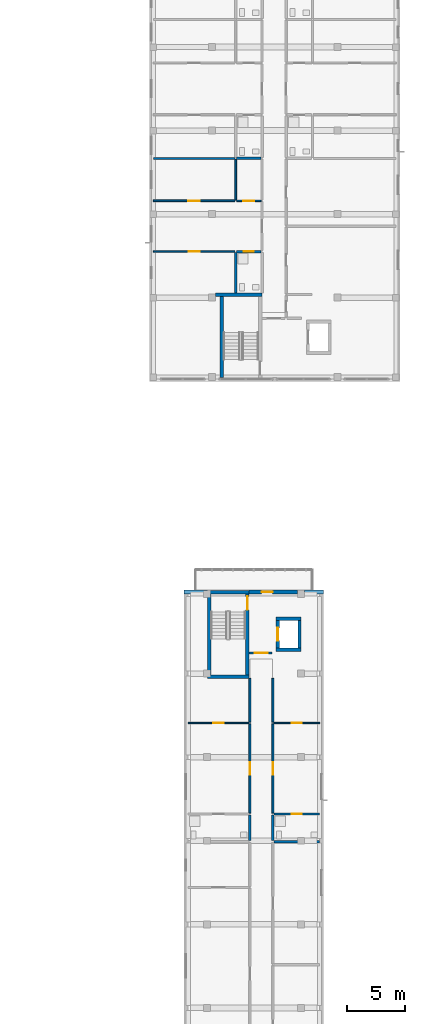
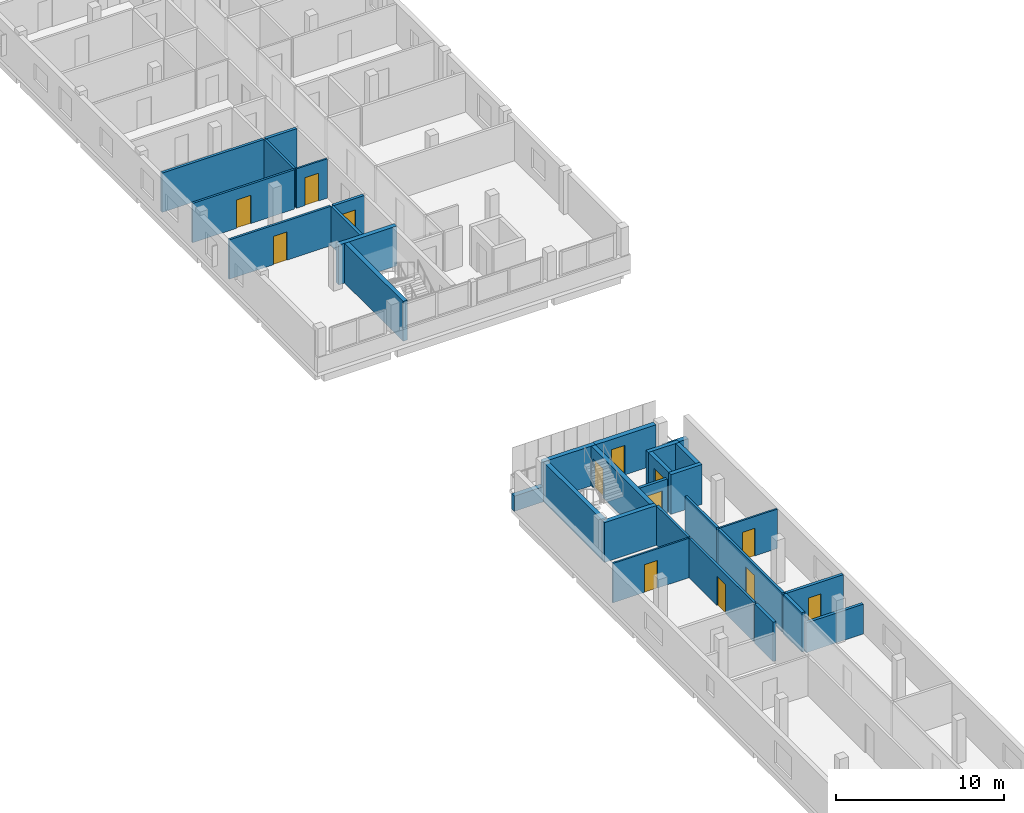
# One storey, part 16 of 35: 32 walls, 13 doors, 13 openings.
"""IFC4 building model written with IfcOpenShell, lengths in metres."""

import ifcopenshell
import ifcopenshell.guid

model = None  # the IFC model being written
_history = None  # IfcOwnerHistory: only IFC2X3 demands one
_inside = {}  # id of a spatial element -> (the spatial element, [elements in it])
_under = {}  # id of a project, library or spatial element -> (it, [spatial elements below it])
_declared = {}  # id of a project -> (the project, [libraries it declares])
_typed = {}  # id of a type object -> (the type object, [elements of that type])
_made_of = {}  # id of a material, layer set ... -> (it, [elements and type objects made of it])


def new_model(schema):
    """Start an empty IFC model of exactly this schema.

    Asked for "IFC4X3", IfcOpenShell would pick the latest addendum, in which some entities
    have other attributes; the version numbers below select the first issue.
    IFC2X3 requires an IfcOwnerHistory on every rooted entity: one is made here for all.
    """
    global model, _history
    if schema == "IFC4X3":
        model = ifcopenshell.file(schema_version=(4, 3, 0, 0))
    else:
        model = ifcopenshell.file(schema=schema)
    _inside.clear()
    _under.clear()
    _declared.clear()
    _typed.clear()
    _made_of.clear()
    _history = None
    if model.schema == "IFC2X3":
        org = make("IfcOrganization", Name="unknown")
        user = make(
            "IfcPersonAndOrganization",
            ThePerson=make("IfcPerson", FamilyName="unknown"),
            TheOrganization=org,
        )
        app = make(
            "IfcApplication",
            ApplicationDeveloper=org,
            Version="unknown",
            ApplicationFullName="unknown",
            ApplicationIdentifier="unknown",
        )
        _history = make(
            "IfcOwnerHistory",
            OwningUser=user,
            OwningApplication=app,
            ChangeAction="ADDED",
            CreationDate=0,
        )
    return model


def make(cls, **values):
    """One entity of the class cls with the attributes given. An attribute that is None is left unset."""
    return model.create_entity(
        cls, **{name: value for name, value in values.items() if value is not None}
    )


def rooted(cls, **values):
    """An entity with a GlobalId (a new one), such as an element, a storey or a relation."""
    return make(cls, GlobalId=ifcopenshell.guid.new(), OwnerHistory=_history, **values)


def si_unit(unit_type, name, prefix=None):
    """IfcSIUnit, for example si_unit("LENGTHUNIT", "METRE", prefix="MILLI")."""
    return make("IfcSIUnit", UnitType=unit_type, Prefix=prefix, Name=name)


def derived_unit(unit_type, elements):
    """IfcDerivedUnit: a product of units, each with its exponent."""
    return make(
        "IfcDerivedUnit",
        Elements=[
            make("IfcDerivedUnitElement", Unit=unit, Exponent=power)
            for unit, power in elements
        ],
        UnitType=unit_type,
    )


def assignment(units):
    """IfcUnitAssignment: the units of a project."""
    return None if units is None else make("IfcUnitAssignment", Units=units)


def point(xyz):
    """IfcCartesianPoint."""
    return None if xyz is None else make("IfcCartesianPoint", Coordinates=xyz)


def direction(xyz):
    """IfcDirection."""
    return None if xyz is None else make("IfcDirection", DirectionRatios=xyz)


def frame(location, z_axis=None, x_axis=None):
    """IfcAxis2Placement3D, a coordinate frame: its origin and axes. An axis left out is left unset."""
    return make(
        "IfcAxis2Placement3D",
        Location=point(location),
        Axis=direction(z_axis),
        RefDirection=direction(x_axis),
    )


def frame_2d(location, x_axis=None):
    """IfcAxis2Placement2D, a coordinate frame in the plane: its origin and x axis."""
    return make(
        "IfcAxis2Placement2D", Location=point(location), RefDirection=direction(x_axis)
    )


def origin():
    """The frame at (0, 0, 0) with its axes left unset."""
    return frame((0.0, 0.0, 0.0))


def place(relative_to, where):
    """IfcLocalPlacement: puts the frame where relative to a parent placement (None: the world)."""
    return make(
        "IfcLocalPlacement", PlacementRelTo=relative_to, RelativePlacement=where
    )


def context(
    kind, dimensions, precision=None, world=None, true_north=None, identifier=None
):
    """IfcGeometricRepresentationContext, for example the 3D "Model" context."""
    return make(
        "IfcGeometricRepresentationContext",
        ContextIdentifier=identifier,
        ContextType=kind,
        CoordinateSpaceDimension=dimensions,
        Precision=precision,
        WorldCoordinateSystem=world,
        TrueNorth=true_north,
    )


def subcontext(parent, identifier, kind, view, scale=None):
    """IfcGeometricRepresentationSubContext, for example "Body" below "Model"."""
    return make(
        "IfcGeometricRepresentationSubContext",
        ContextIdentifier=identifier,
        ContextType=kind,
        ParentContext=parent,
        TargetScale=scale,
        TargetView=view,
    )


def project(units=None, contexts=None):
    """IfcProject with its units and contexts."""
    return rooted(
        "IfcProject",
        Name="project",
        RepresentationContexts=contexts,
        UnitsInContext=assignment(units),
    )


def spatial(cls, under=None, at=None, **own):
    """A site, building, storey or space (cls), placed at a placement, below another one or the project."""
    s = rooted(cls, ObjectPlacement=at, **own)
    if under is not None:
        _under.setdefault(under.id(), (under, []))[1].append(s)
    return s


def profile(cls, at=None, kind="AREA", **sizes):
    """A parametric profile (cls). Its sizes go by their IFC names, for example OverallWidth=200.0."""
    return make(cls, ProfileType=kind, Position=at, **sizes)


def rectangle(**sizes):
    """IfcRectangleProfileDef."""
    return profile("IfcRectangleProfileDef", **sizes)


def extrude(swept, where, along, depth):
    """IfcExtrudedAreaSolid: the profile swept, set in the frame where, extruded along a direction by depth."""
    return make(
        "IfcExtrudedAreaSolid",
        SweptArea=swept,
        Position=where,
        ExtrudedDirection=direction(along),
        Depth=depth,
    )


def shape(context_of_items, identifier, shape_type, items):
    """IfcShapeRepresentation: the items that make up one representation, for example the "Body"."""
    return make(
        "IfcShapeRepresentation",
        ContextOfItems=context_of_items,
        RepresentationIdentifier=identifier,
        RepresentationType=shape_type,
        Items=items,
    )


def material(Name=None, Category=None):
    """IfcMaterial."""
    return make("IfcMaterial", Name=Name, Category=Category)


def layer(
    of_material, thickness, ventilated=None, Name=None, Category=None, Priority=None
):
    """IfcMaterialLayer: one layer of a wall or slab, of a material (None: an air gap)."""
    return make(
        "IfcMaterialLayer",
        Material=of_material,
        LayerThickness=thickness,
        IsVentilated=ventilated,
        Name=Name,
        Category=Category,
        Priority=Priority,
    )


def layer_set(layers, Name=None):
    """IfcMaterialLayerSet."""
    return make("IfcMaterialLayerSet", MaterialLayers=layers, LayerSetName=Name)


def made_of(thing, what):
    """Note that an element or type object is made of a material, layer set ...; save() writes the relation."""
    if what is not None:
        _made_of.setdefault(what.id(), (what, []))[1].append(thing)
    return thing


def type_object(cls, material=None, **own):
    """A type object (cls), such as IfcWallType, which elements share."""
    return made_of(rooted(cls, **own), material)


def element(
    cls,
    number,
    at=None,
    inside=None,
    cuts=None,
    type_object=None,
    material=None,
    context=None,
    identifier="Body",
    shape_type=None,
    held_by="IfcProductDefinitionShape",
    body=None,
    shapes=None,
    **own,
):
    """One element of the class cls, such as IfcWall. Its Tag is "e" and its number.

    at: its placement. inside: the storey or other place that contains it. cuts: it is an
    opening in that element (IfcRelVoidsElement). A single representation is given by context,
    identifier, shape_type and body (its items); several are given by shapes. held_by: the class
    of the entity that holds the representations. save() writes the other relations.
    """
    e = rooted(cls, Tag="e%d" % number, ObjectPlacement=at, **own)
    if body is not None:
        shapes = [shape(context, identifier, shape_type, body)]
    if shapes is not None:
        e.Representation = make(held_by, Representations=shapes)
    if inside is not None:
        _inside.setdefault(inside.id(), (inside, []))[1].append(e)
    if cuts is not None:
        rooted(
            "IfcRelVoidsElement", RelatingBuildingElement=cuts, RelatedOpeningElement=e
        )
    if type_object is not None:
        _typed.setdefault(type_object.id(), (type_object, []))[1].append(e)
    return made_of(e, material)


def fill(opening, filler):
    """IfcRelFillsElement: the door or window that sits in an opening."""
    return rooted(
        "IfcRelFillsElement",
        RelatingOpeningElement=opening,
        RelatedBuildingElement=filler,
    )


def aggregate(whole, parts):
    """IfcRelAggregates: a whole, such as a stair, and the parts it consists of."""
    return rooted("IfcRelAggregates", RelatingObject=whole, RelatedObjects=parts)


def save(model, path):
    """Write the relations noted so far, then the file.

    IfcRelAggregates (storeys below a building ...), IfcRelContainedInSpatialStructure (elements
    in a storey), IfcRelDefinesByType, IfcRelAssociatesMaterial and IfcRelDeclares: one each for
    every whole, place, type object, material and project.
    """
    for whole, parts in _under.values():
        aggregate(whole, parts)
    for where, things in _inside.values():
        rooted(
            "IfcRelContainedInSpatialStructure",
            RelatedElements=things,
            RelatingStructure=where,
        )
    for kind, things in _typed.values():
        rooted("IfcRelDefinesByType", RelatedObjects=things, RelatingType=kind)
    for what, things in _made_of.values():
        rooted("IfcRelAssociatesMaterial", RelatedObjects=things, RelatingMaterial=what)
    for by, libraries in _declared.values():
        rooted("IfcRelDeclares", RelatingContext=by, RelatedDefinitions=libraries)
    model.write(path)


model = new_model("IFC4")

# Units and contexts
model_context = context("Model", 3, precision=1e-05, world=origin(), true_north=direction((0.0, 1.0)))
body_context = subcontext(model_context, "Body", "Model", "MODEL_VIEW")
ifc_project = project(units=[si_unit("LENGTHUNIT", "METRE"), si_unit("AREAUNIT", "SQUARE_METRE"), si_unit("VOLUMEUNIT", "CUBIC_METRE"), si_unit("PLANEANGLEUNIT", "RADIAN"), si_unit("MASSUNIT", "GRAM", prefix="KILO"), derived_unit("THERMALTRANSMITTANCEUNIT", [(si_unit("MASSUNIT", "GRAM", prefix="KILO"), 1), (si_unit("TIMEUNIT", "SECOND"), -3), (si_unit("THERMODYNAMICTEMPERATUREUNIT", "KELVIN"), -1)])], contexts=[model_context])

# Site, building, storey
site_placement = place(None, origin())
site = spatial("IfcSite", under=ifc_project, at=site_placement, CompositionType="ELEMENT")
building_placement = place(site_placement, origin())
building = spatial("IfcBuilding", under=site, at=building_placement, Name="Ochrekiln Boulevard Commons", CompositionType="ELEMENT")
storey_placement = place(building_placement, frame((0.0, 0.0, 30.97509765625)))
storey = spatial("IfcBuildingStorey", under=building, at=storey_placement, Name="L09", CompositionType="ELEMENT", Elevation=30.97509765625)

# Wall, opening, door
ifc_material_1 = material(Name="Desert ochre clinker brick masonry ASTM C216 Grade SW", Category="masonry")
ifc_layer_1 = layer(ifc_material_1, 0.330078125)
ifc_layer_set_1 = layer_set([ifc_layer_1], Name="Desert ochre clinker brick masonry ASTM C216 Grade SW")
wall_type_1 = type_object("IfcWallType", Name="WL-EXT-OCHRE-330", PredefinedType="SOLIDWALL", material=ifc_layer_set_1)
wall_1_placement = place(storey_placement, frame((159.800048828125, 50.235107421875, 0.0), z_axis=(0.0, 0.0, 1.0), x_axis=(1.0, 0.0, 0.0)))
wall_1 = element("IfcWall", 1, at=wall_1_placement, inside=storey, type_object=wall_type_1, Name="Block C L09 North Balcony Door Wall", PredefinedType="SOLIDWALL", context=body_context, shape_type="SweptSolid", body=[
    extrude(rectangle(XDim=4.14990234375, YDim=0.330078125, at=frame_2d((2.074951171875, 0.0))), origin(), (0.0, 0.0, 1.0), 2.89990234375),
])
opening_1_placement = place(wall_1_placement, frame((1.074951171875, 0.0, 0.0)))
opening_1 = element("IfcOpeningElement", 2, at=opening_1_placement, cuts=wall_1, Name="Opening D-L09-CBL", PredefinedType="OPENING", context=body_context, shape_type="SweptSolid", body=[
    extrude(rectangle(XDim=0.949951171875, YDim=2.14990234375, at=frame_2d((0.47509765625, 1.074951171875))), frame((0.0, 0.175048828125, 0.0), z_axis=(0.0, -1.0, 0.0), x_axis=(1.0, 0.0, 0.0)), (0.0, 0.0, 1.0), 0.35009765625),
])
ifc_material_2 = material(Name="Thermally broken aluminium-clad oak frame", Category="aluminium")
door_type_1 = type_object("IfcDoorType", Name="DR-EXT-BAL-095", OperationType="NOTDEFINED", PredefinedType="DOOR", material=ifc_material_2)
door_1_placement = place(opening_1_placement, origin())
door_1 = element("IfcDoor", 3, at=door_1_placement, inside=storey, type_object=door_type_1, Name="Block C L09 North Courtyard Balcony Door", OperationType="SINGLE_SWING_LEFT", OverallHeight=2.14990234375, OverallWidth=0.949951171875, PredefinedType="DOOR", context=body_context, shape_type="SweptSolid", body=[
    extrude(rectangle(XDim=0.949951171875, YDim=2.14990234375, at=frame_2d((0.47509765625, 1.074951171875))), frame((0.0, 0.02490234375, 0.0), z_axis=(0.0, -1.0, 0.0), x_axis=(1.0, 0.0, 0.0)), (0.0, 0.0, 1.0), 0.050048828125),
])
fill(opening_1, door_1)

# Walls
wall_2_placement = place(storey_placement, frame((154.199951171875, 50.235107421875, 0.0), z_axis=(0.0, 0.0, 1.0), x_axis=(1.0, 0.0, 0.0)))
element("IfcWall", 4, at=wall_2_placement, inside=storey, type_object=wall_type_1, Name="Block C L09 Courtyard Gable Sill Wall L", PredefinedType="SOLIDWALL", context=body_context, shape_type="SweptSolid", body=[
    extrude(rectangle(XDim=2.0, YDim=0.330078125, at=frame_2d((1.0, 0.0))), origin(), (0.0, 0.0, 1.0), 1.10986328125),
])
wall_3_placement = place(storey_placement, frame((164.550048828125, 50.235107421875, 0.0), z_axis=(0.0, 0.0, 1.0), x_axis=(1.0, 0.0, 0.0)))
element("IfcWall", 5, at=wall_3_placement, inside=storey, type_object=wall_type_1, Name="Block C L09 Courtyard Gable Sill Wall R", PredefinedType="SOLIDWALL", context=body_context, shape_type="SweptSolid", body=[
    extrude(rectangle(XDim=1.64990234375, YDim=0.330078125, at=frame_2d((0.824951171875, 0.0))), origin(), (0.0, 0.0, 1.0), 1.10986328125),
])

# Wall, opening, door
ifc_material_3 = material(Name="Moisture-resistant cementitious tile backer wall")
ifc_layer_2 = layer(ifc_material_3, 0.199951171875)
ifc_layer_set_2 = layer_set([ifc_layer_2], Name="Moisture-resistant cementitious tile backer wall")
wall_type_2 = type_object("IfcWallType", Name="WL-PLM-200", PredefinedType="PLUMBINGWALL", material=ifc_layer_set_2)
wall_4_placement = place(storey_placement, frame((158.719970703125, 79.572998046875, 0.0), z_axis=(0.0, 0.0, 1.0), x_axis=(1.0, 0.0, 0.0)))
wall_4 = element("IfcWall", 6, at=wall_4_placement, inside=storey, type_object=wall_type_2, Name="L09 Interior Wall W-PW200", PredefinedType="PLUMBINGWALL", context=body_context, shape_type="SweptSolid", body=[
    extrude(rectangle(XDim=2.10693359375, YDim=0.199951171875, at=frame_2d((1.053466796875, 0.0))), origin(), (0.0, 0.0, 1.0), 2.869873046875),
])
opening_2_placement = place(wall_4_placement, frame((0.60498046875, 0.0, 0.0)))
opening_2 = element("IfcOpeningElement", 7, at=opening_2_placement, cuts=wall_4, Name="Opening D-L09-1132", PredefinedType="OPENING", context=body_context, shape_type="SweptSolid", body=[
    extrude(rectangle(XDim=0.889892578125, YDim=2.030029296875, at=frame_2d((0.44482421875, 1.01513671875))), frame((0.0, 0.10986328125, 0.0), z_axis=(0.0, -1.0, 0.0), x_axis=(1.0, 0.0, 0.0)), (0.0, 0.0, 1.0), 0.219970703125),
])
ifc_material_4 = material(Name="Solid core architectural oak door leaf")
door_type_2 = type_object("IfcDoorType", Name="DR-INT-BTH-089", OperationType="NOTDEFINED", PredefinedType="DOOR", material=ifc_material_4)
door_2_placement = place(opening_2_placement, frame((0.889892578125, 0.0, 0.0), z_axis=(0.0, 0.0, 1.0), x_axis=(-1.0, 0.0, 0.0)))
door_2 = element("IfcDoor", 8, at=door_2_placement, inside=storey, type_object=door_type_2, Name="L09 Interior Door to Accessible Apartment Bathroom", OperationType="SINGLE_SWING_RIGHT", OverallHeight=2.030029296875, OverallWidth=0.889892578125, PredefinedType="DOOR", context=body_context, shape_type="SweptSolid", body=[
    extrude(rectangle(XDim=0.889892578125, YDim=2.030029296875, at=frame_2d((0.44482421875, 1.01513671875))), frame((0.0, 0.02490234375, 0.0), z_axis=(0.0, -1.0, 0.0), x_axis=(1.0, 0.0, 0.0)), (0.0, 0.0, 1.0), 0.050048828125),
])
fill(opening_2, door_2)

# Walls
wall_5_placement = place(storey_placement, frame((158.639892578125, 76.0, 0.0), z_axis=(0.0, 0.0, 1.0), x_axis=(0.0, 1.0, 0.0)))
element("IfcWall", 9, at=wall_5_placement, inside=storey, type_object=wall_type_2, Name="L09 Interior Wall W-PW200", PredefinedType="PLUMBINGWALL", context=body_context, shape_type="SweptSolid", body=[
    extrude(rectangle(XDim=3.492919921875, YDim=0.199951171875, at=frame_2d((1.74658203125, 0.0))), origin(), (0.0, 0.0, 1.0), 2.869873046875),
])
wall_6_placement = place(storey_placement, frame((158.715087890625, 87.615966796875, 0.0), z_axis=(0.0, 0.0, 1.0), x_axis=(1.0, 0.0, 0.0)))
element("IfcWall", 10, at=wall_6_placement, inside=storey, type_object=wall_type_2, Name="L09 Interior Wall W-PW200", PredefinedType="PLUMBINGWALL", context=body_context, shape_type="SweptSolid", body=[
    extrude(rectangle(XDim=2.11181640625, YDim=0.199951171875, at=frame_2d((1.055908203125, 0.0))), origin(), (0.0, 0.0, 1.0), 2.869873046875),
])
wall_7_placement = place(storey_placement, frame((161.923095703125, 28.719970703125, 0.0), z_axis=(0.0, 0.0, 1.0), x_axis=(1.0, 0.0, 0.0)))
element("IfcWall", 11, at=wall_7_placement, inside=storey, type_object=wall_type_2, Name="L09 Interior Wall W-PW200", PredefinedType="PLUMBINGWALL", context=body_context, shape_type="SweptSolid", body=[
    extrude(rectangle(XDim=3.947021484375, YDim=0.199951171875, at=frame_2d((1.9736328125, 0.0))), origin(), (0.0, 0.0, 1.0), 2.169921875),
])

# Wall, opening, door
wall_8_placement = place(storey_placement, frame((161.923095703125, 31.110107421875, 0.0), z_axis=(0.0, 0.0, 1.0), x_axis=(1.0, 0.0, 0.0)))
wall_8 = element("IfcWall", 12, at=wall_8_placement, inside=storey, type_object=wall_type_2, Name="L09 Interior Wall W-PW200", PredefinedType="PLUMBINGWALL", context=body_context, shape_type="SweptSolid", body=[
    extrude(rectangle(XDim=3.947021484375, YDim=0.199951171875, at=frame_2d((1.9736328125, 0.0))), origin(), (0.0, 0.0, 1.0), 2.869873046875),
])
opening_3_placement = place(wall_8_placement, frame((1.537109375, 0.0, 0.0)))
opening_3 = element("IfcOpeningElement", 13, at=opening_3_placement, cuts=wall_8, Name="Opening D-L09-1164", PredefinedType="OPENING", context=body_context, shape_type="SweptSolid", body=[
    extrude(rectangle(XDim=0.860107421875, YDim=2.0, at=frame_2d((0.43017578125, 1.0))), frame((0.0, 0.10986328125, 0.0), z_axis=(0.0, -1.0, 0.0), x_axis=(1.0, 0.0, 0.0)), (0.0, 0.0, 1.0), 0.219970703125),
])
door_type_3 = type_object("IfcDoorType", Name="DR-INT-BTH-086", OperationType="NOTDEFINED", PredefinedType="DOOR", material=ifc_material_4)
door_3_placement = place(opening_3_placement, frame((0.860107421875, 0.0, 0.0), z_axis=(0.0, 0.0, 1.0), x_axis=(-1.0, 0.0, 0.0)))
door_3 = element("IfcDoor", 14, at=door_3_placement, inside=storey, type_object=door_type_3, Name="L09 Interior Door to Loft Bathroom", OperationType="SINGLE_SWING_RIGHT", OverallHeight=2.0, OverallWidth=0.860107421875, PredefinedType="DOOR", context=body_context, shape_type="SweptSolid", body=[
    extrude(rectangle(XDim=0.860107421875, YDim=2.0, at=frame_2d((0.43017578125, 1.0))), frame((0.0, 0.02490234375, 0.0), z_axis=(0.0, -1.0, 0.0), x_axis=(1.0, 0.0, 0.0)), (0.0, 0.0, 1.0), 0.050048828125),
])
fill(opening_3, door_3)

# Walls
ifc_layer_3 = layer(ifc_material_3, 0.219970703125)
ifc_layer_set_3 = layer_set([ifc_layer_3], Name="Moisture-resistant cementitious tile backer wall")
wall_type_3 = type_object("IfcWallType", Name="WL-PLM-220", PredefinedType="PLUMBINGWALL", material=ifc_layer_set_3)
for number, where, z_axis, x_axis, name in (
    (15, (159.860107421875, 28.81005859375, 0.0), (0.0, 0.0, 1.0), (0.0, 1.0, 0.0), "L09 Interior Wall W-PW220"),
    (16, (161.840087890625, 28.81005859375, 0.0), (0.0, 0.0, 1.0), (0.0, 1.0, 0.0), "L09 Interior Wall W-PW220"),
):
    element("IfcWall", number, at=place(storey_placement, frame(where, z_axis=z_axis, x_axis=x_axis)), inside=storey, type_object=wall_type_3, Name=name, PredefinedType="PLUMBINGWALL", context=body_context, shape_type="SweptSolid", body=[
        extrude(rectangle(XDim=2.219970703125, YDim=0.219970703125, at=frame_2d((1.10986328125, 0.0))), origin(), (0.0, 0.0, 1.0), 2.869873046875),
    ])

# Wall, opening, door
ifc_material_5 = material(Name="Fire-rated Type X gypsum board on steel studs", Category="steel")
ifc_layer_4 = layer(ifc_material_5, 0.1650390625)
ifc_layer_set_4 = layer_set([ifc_layer_4], Name="Fire-rated Type X gypsum board on steel studs")
wall_type_4 = type_object("IfcWallType", Name="WL-PT-CORR-165", PredefinedType="PARTITIONING", material=ifc_layer_set_4)
wall_9_placement = place(storey_placement, frame((159.860107421875, 31.18994140625, 0.0), z_axis=(0.0, 0.0, 1.0), x_axis=(0.0, 1.0, 0.0)))
wall_9 = element("IfcWall", 17, at=wall_9_placement, inside=storey, type_object=wall_type_4, Name="L09 Interior Wall W-PC165", PredefinedType="PARTITIONING", context=body_context, shape_type="SweptSolid", body=[
    extrude(rectangle(XDim=7.68017578125, YDim=0.1650390625, at=frame_2d((3.840087890625, 0.0))), origin(), (0.0, 0.0, 1.0), 2.869873046875),
])
opening_4_placement = place(wall_9_placement, frame((3.31494140625, 0.0, 0.0)))
opening_4 = element("IfcOpeningElement", 18, at=opening_4_placement, cuts=wall_9, Name="Opening D-L09-1156", PredefinedType="OPENING", context=body_context, shape_type="SweptSolid", body=[
    extrude(rectangle(XDim=1.050048828125, YDim=2.1298828125, at=frame_2d((0.52490234375, 1.06494140625))), frame((0.0, 0.092529296875, 0.0), z_axis=(0.0, -1.0, 0.0), x_axis=(1.0, 0.0, 0.0)), (0.0, 0.0, 1.0), 0.18505859375),
])
door_type_4 = type_object("IfcDoorType", Name="DR-INT-APT-105", OperationType="NOTDEFINED", PredefinedType="DOOR", material=ifc_material_4)
door_4_placement = place(opening_4_placement, origin())
door_4 = element("IfcDoor", 19, at=door_4_placement, inside=storey, type_object=door_type_4, Name="L09 Interior Door to Loft Living Room", OperationType="SINGLE_SWING_RIGHT", OverallHeight=2.1298828125, OverallWidth=1.050048828125, PredefinedType="DOOR", context=body_context, shape_type="SweptSolid", body=[
    extrude(rectangle(XDim=1.050048828125, YDim=2.1298828125, at=frame_2d((0.52490234375, 1.06494140625))), frame((0.0, 0.02490234375, 0.0), z_axis=(0.0, -1.0, 0.0), x_axis=(1.0, 0.0, 0.0)), (0.0, 0.0, 1.0), 0.050048828125),
])
fill(opening_4, door_4)

# Wall
wall_10_placement = place(storey_placement, frame((159.860107421875, 39.030029296875, 0.0), z_axis=(0.0, 0.0, 1.0), x_axis=(0.0, 1.0, 0.0)))
element("IfcWall", 20, at=wall_10_placement, inside=storey, type_object=wall_type_4, Name="L09 Interior Wall W-PC165", PredefinedType="PARTITIONING", context=body_context, shape_type="SweptSolid", body=[
    extrude(rectangle(XDim=3.77001953125, YDim=0.1650390625, at=frame_2d((1.885009765625, 0.0))), origin(), (0.0, 0.0, 1.0), 2.869873046875),
])

# Wall, opening, door
wall_11_placement = place(storey_placement, frame((161.840087890625, 31.18994140625, 0.0), z_axis=(0.0, 0.0, 1.0), x_axis=(0.0, 1.0, 0.0)))
wall_11 = element("IfcWall", 21, at=wall_11_placement, inside=storey, type_object=wall_type_4, Name="L09 Interior Wall W-PC165", PredefinedType="PARTITIONING", context=body_context, shape_type="SweptSolid", body=[
    extrude(rectangle(XDim=7.68017578125, YDim=0.1650390625, at=frame_2d((3.840087890625, 0.0))), origin(), (0.0, 0.0, 1.0), 2.869873046875),
])
opening_5_placement = place(wall_11_placement, frame((3.31494140625, 0.0, 0.0)))
opening_5 = element("IfcOpeningElement", 22, at=opening_5_placement, cuts=wall_11, Name="Opening D-L09-1159", PredefinedType="OPENING", context=body_context, shape_type="SweptSolid", body=[
    extrude(rectangle(XDim=1.050048828125, YDim=2.1298828125, at=frame_2d((0.52490234375, 1.06494140625))), frame((0.0, 0.092529296875, 0.0), z_axis=(0.0, -1.0, 0.0), x_axis=(1.0, 0.0, 0.0)), (0.0, 0.0, 1.0), 0.18505859375),
])
door_5_placement = place(opening_5_placement, frame((1.050048828125, 0.0, 0.0), z_axis=(0.0, 0.0, 1.0), x_axis=(-1.0, 0.0, 0.0)))
door_5 = element("IfcDoor", 23, at=door_5_placement, inside=storey, type_object=door_type_4, Name="L09 Interior Door to Loft Living Room", OperationType="SINGLE_SWING_LEFT", OverallHeight=2.1298828125, OverallWidth=1.050048828125, PredefinedType="DOOR", context=body_context, shape_type="SweptSolid", body=[
    extrude(rectangle(XDim=1.050048828125, YDim=2.1298828125, at=frame_2d((0.52490234375, 1.06494140625))), frame((0.0, 0.02490234375, 0.0), z_axis=(0.0, -1.0, 0.0), x_axis=(1.0, 0.0, 0.0)), (0.0, 0.0, 1.0), 0.050048828125),
])
fill(opening_5, door_5)

# Walls
wall_12_placement = place(storey_placement, frame((161.840087890625, 39.030029296875, 0.0), z_axis=(0.0, 0.0, 1.0), x_axis=(0.0, 1.0, 0.0)))
element("IfcWall", 24, at=wall_12_placement, inside=storey, type_object=wall_type_4, Name="L09 Interior Wall W-PC165", PredefinedType="PARTITIONING", context=body_context, shape_type="SweptSolid", body=[
    extrude(rectangle(XDim=3.77001953125, YDim=0.1650390625, at=frame_2d((1.885009765625, 0.0))), origin(), (0.0, 0.0, 1.0), 2.869873046875),
])
ifc_layer_5 = layer(ifc_material_5, 0.179931640625)
ifc_layer_set_5 = layer_set([ifc_layer_5], Name="Fire-rated Type X gypsum board on steel studs")
wall_type_5 = type_object("IfcWallType", Name="WL-PT-DEM-180", PredefinedType="PARTITIONING", material=ifc_layer_set_5)
wall_13_placement = place(storey_placement, frame((151.5400390625, 87.615966796875, 0.0), z_axis=(0.0, 0.0, 1.0), x_axis=(1.0, 0.0, 0.0)))
element("IfcWall", 25, at=wall_13_placement, inside=storey, type_object=wall_type_5, Name="L09 Interior Wall W-PD180", PredefinedType="PARTITIONING", context=body_context, shape_type="SweptSolid", body=[
    extrude(rectangle(XDim=7.02001953125, YDim=0.179931640625, at=frame_2d((3.510009765625, 0.0))), origin(), (0.0, 0.0, 1.0), 2.869873046875),
])

# Wall, opening, door
ifc_layer_6 = layer(ifc_material_5, 0.18994140625)
ifc_layer_set_6 = layer_set([ifc_layer_6], Name="Fire-rated Type X gypsum board on steel studs")
wall_type_6 = type_object("IfcWallType", Name="WL-PT-LBY-190", PredefinedType="PARTITIONING", material=ifc_layer_set_6)
wall_14_placement = place(storey_placement, frame((159.800048828125, 44.97998046875, 0.0), z_axis=(0.0, 0.0, 1.0), x_axis=(1.0, 0.0, 0.0)))
wall_14 = element("IfcWall", 26, at=wall_14_placement, inside=storey, type_object=wall_type_6, Name="L09 Interior Wall W-PL190", PredefinedType="PARTITIONING", context=body_context, shape_type="SweptSolid", body=[
    extrude(rectangle(XDim=1.949951171875, YDim=0.18994140625, at=frame_2d((0.97509765625, 0.0))), origin(), (0.0, 0.0, 1.0), 2.869873046875),
])
opening_6_placement = place(wall_14_placement, frame((0.5, 0.0, 0.0)))
opening_6 = element("IfcOpeningElement", 27, at=opening_6_placement, cuts=wall_14, Name="Opening D-L09-1153", PredefinedType="OPENING", context=body_context, shape_type="SweptSolid", body=[
    extrude(rectangle(XDim=1.10009765625, YDim=2.1201171875, at=frame_2d((0.550048828125, 1.06005859375))), frame((0.0, 0.10498046875, 0.0), z_axis=(0.0, -1.0, 0.0), x_axis=(1.0, 0.0, 0.0)), (0.0, 0.0, 1.0), 0.2099609375),
])
ifc_material_6 = material(Name="Hollow metal fire-rated steel door assembly", Category="steel")
door_type_5 = type_object("IfcDoorType", Name="DR-LOBBY-60", OperationType="NOTDEFINED", PredefinedType="DOOR", material=ifc_material_6)
door_6_placement = place(opening_6_placement, origin())
door_6 = element("IfcDoor", 28, at=door_6_placement, inside=storey, type_object=door_type_5, Name="L09 Interior Door to Passenger Elevator Lobby", OperationType="SINGLE_SWING_LEFT", OverallHeight=2.1201171875, OverallWidth=1.10009765625, PredefinedType="DOOR", context=body_context, shape_type="SweptSolid", body=[
    extrude(rectangle(XDim=1.10009765625, YDim=2.1201171875, at=frame_2d((0.550048828125, 1.06005859375))), frame((0.0, 0.02490234375, 0.0), z_axis=(0.0, -1.0, 0.0), x_axis=(1.0, 0.0, 0.0)), (0.0, 0.0, 1.0), 0.050048828125),
])
fill(opening_6, door_6)

ifc_layer_7 = layer(ifc_material_5, 0.1201171875)
ifc_layer_set_7 = layer_set([ifc_layer_7], Name="Fire-rated Type X gypsum board on steel studs")
wall_type_7 = type_object("IfcWallType", Name="WL-PT-LGT-120", PredefinedType="PARTITIONING", material=ifc_layer_set_7)
wall_15_placement = place(storey_placement, frame((158.719970703125, 83.952880859375, 0.0), z_axis=(0.0, 0.0, 1.0), x_axis=(1.0, 0.0, 0.0)))
wall_15 = element("IfcWall", 29, at=wall_15_placement, inside=storey, type_object=wall_type_7, Name="L09 Interior Wall W-PL120", PredefinedType="PARTITIONING", context=body_context, shape_type="SweptSolid", body=[
    extrude(rectangle(XDim=2.10693359375, YDim=0.1201171875, at=frame_2d((1.053466796875, 0.0))), origin(), (0.0, 0.0, 1.0), 2.869873046875),
])
opening_7_placement = place(wall_15_placement, frame((0.590087890625, 0.0, 0.0)))
opening_7 = element("IfcOpeningElement", 30, at=opening_7_placement, cuts=wall_15, Name="Opening D-L09-1133", PredefinedType="OPENING", context=body_context, shape_type="SweptSolid", body=[
    extrude(rectangle(XDim=0.919921875, YDim=2.02001953125, at=frame_2d((0.4599609375, 1.010009765625))), frame((0.0, 0.070068359375, 0.0), z_axis=(0.0, -1.0, 0.0), x_axis=(1.0, 0.0, 0.0)), (0.0, 0.0, 1.0), 0.14013671875),
])
door_type_6 = type_object("IfcDoorType", Name="DR-INT-KIT-092", OperationType="NOTDEFINED", PredefinedType="DOOR", material=ifc_material_4)
door_7_placement = place(opening_7_placement, origin())
door_7 = element("IfcDoor", 31, at=door_7_placement, inside=storey, type_object=door_type_6, Name="L09 Interior Door to Apartment Kitchen", OperationType="SINGLE_SWING_LEFT", OverallHeight=2.02001953125, OverallWidth=0.919921875, PredefinedType="DOOR", context=body_context, shape_type="SweptSolid", body=[
    extrude(rectangle(XDim=0.919921875, YDim=2.02001953125, at=frame_2d((0.4599609375, 1.010009765625))), frame((0.0, 0.02490234375, 0.0), z_axis=(0.0, -1.0, 0.0), x_axis=(1.0, 0.0, 0.0)), (0.0, 0.0, 1.0), 0.050048828125),
])
fill(opening_7, door_7)

wall_16_placement = place(storey_placement, frame((154.530029296875, 38.949951171875, 0.0), z_axis=(0.0, 0.0, 1.0), x_axis=(1.0, 0.0, 0.0)))
wall_16 = element("IfcWall", 32, at=wall_16_placement, inside=storey, type_object=wall_type_7, Name="L09 Interior Wall W-PL120", PredefinedType="PARTITIONING", context=body_context, shape_type="SweptSolid", body=[
    extrude(rectangle(XDim=5.248046875, YDim=0.1201171875, at=frame_2d((2.6240234375, 0.0))), origin(), (0.0, 0.0, 1.0), 2.869873046875),
])
opening_8_placement = place(wall_16_placement, frame((2.18994140625, 0.0, 0.0)))
opening_8 = element("IfcOpeningElement", 33, at=opening_8_placement, cuts=wall_16, Name="Opening D-L09-1163", PredefinedType="OPENING", context=body_context, shape_type="SweptSolid", body=[
    extrude(rectangle(XDim=0.8798828125, YDim=2.02001953125, at=frame_2d((0.43994140625, 1.010009765625))), frame((0.0, 0.070068359375, 0.0), z_axis=(0.0, -1.0, 0.0), x_axis=(1.0, 0.0, 0.0)), (0.0, 0.0, 1.0), 0.14013671875),
])
door_type_7 = type_object("IfcDoorType", Name="DR-INT-KIT-088", OperationType="NOTDEFINED", PredefinedType="DOOR", material=ifc_material_4)
door_8_placement = place(opening_8_placement, origin())
door_8 = element("IfcDoor", 34, at=door_8_placement, inside=storey, type_object=door_type_7, Name="L09 Interior Door to Loft Kitchen", OperationType="SINGLE_SWING_LEFT", OverallHeight=2.02001953125, OverallWidth=0.8798828125, PredefinedType="DOOR", context=body_context, shape_type="SweptSolid", body=[
    extrude(rectangle(XDim=0.8798828125, YDim=2.02001953125, at=frame_2d((0.43994140625, 1.010009765625))), frame((0.0, 0.02490234375, 0.0), z_axis=(0.0, -1.0, 0.0), x_axis=(1.0, 0.0, 0.0)), (0.0, 0.0, 1.0), 0.050048828125),
])
fill(opening_8, door_8)

wall_17_placement = place(storey_placement, frame((161.923095703125, 38.949951171875, 0.0), z_axis=(0.0, 0.0, 1.0), x_axis=(1.0, 0.0, 0.0)))
wall_17 = element("IfcWall", 35, at=wall_17_placement, inside=storey, type_object=wall_type_7, Name="L09 Interior Wall W-PL120", PredefinedType="PARTITIONING", context=body_context, shape_type="SweptSolid", body=[
    extrude(rectangle(XDim=3.947021484375, YDim=0.1201171875, at=frame_2d((1.9736328125, 0.0))), origin(), (0.0, 0.0, 1.0), 2.869873046875),
])
opening_9_placement = place(wall_17_placement, frame((1.5419921875, 0.0, 0.0)))
opening_9 = element("IfcOpeningElement", 36, at=opening_9_placement, cuts=wall_17, Name="Opening D-L09-1165", PredefinedType="OPENING", context=body_context, shape_type="SweptSolid", body=[
    extrude(rectangle(XDim=0.85009765625, YDim=2.010009765625, at=frame_2d((0.425048828125, 1.0048828125))), frame((0.0, 0.070068359375, 0.0), z_axis=(0.0, -1.0, 0.0), x_axis=(1.0, 0.0, 0.0)), (0.0, 0.0, 1.0), 0.14013671875),
])
door_type_8 = type_object("IfcDoorType", Name="DR-INT-KIT-085", OperationType="NOTDEFINED", PredefinedType="DOOR", material=ifc_material_4)
door_9_placement = place(opening_9_placement, origin())
door_9 = element("IfcDoor", 37, at=door_9_placement, inside=storey, type_object=door_type_8, Name="L09 Interior Door to Loft Kitchen", OperationType="SINGLE_SWING_LEFT", OverallHeight=2.010009765625, OverallWidth=0.85009765625, PredefinedType="DOOR", context=body_context, shape_type="SweptSolid", body=[
    extrude(rectangle(XDim=0.85009765625, YDim=2.010009765625, at=frame_2d((0.425048828125, 1.0048828125))), frame((0.0, 0.02490234375, 0.0), z_axis=(0.0, -1.0, 0.0), x_axis=(1.0, 0.0, 0.0)), (0.0, 0.0, 1.0), 0.050048828125),
])
fill(opening_9, door_9)

ifc_layer_8 = layer(ifc_material_5, 0.14990234375)
ifc_layer_set_8 = layer_set([ifc_layer_8], Name="Fire-rated Type X gypsum board on steel studs")
wall_type_8 = type_object("IfcWallType", Name="WL-PT-STD-150", PredefinedType="PARTITIONING", material=ifc_layer_set_8)
wall_18_placement = place(storey_placement, frame((151.5400390625, 79.572998046875, 0.0), z_axis=(0.0, 0.0, 1.0), x_axis=(1.0, 0.0, 0.0)))
wall_18 = element("IfcWall", 38, at=wall_18_placement, inside=storey, type_object=wall_type_8, Name="L09 Interior Wall W-PS150", PredefinedType="PARTITIONING", context=body_context, shape_type="SweptSolid", body=[
    extrude(rectangle(XDim=7.02001953125, YDim=0.14990234375, at=frame_2d((3.510009765625, 0.0))), origin(), (0.0, 0.0, 1.0), 2.869873046875),
])
opening_10_placement = place(wall_18_placement, frame((3.044921875, 0.0, 0.0)))
opening_10 = element("IfcOpeningElement", 39, at=opening_10_placement, cuts=wall_18, Name="Opening D-L09-1134", PredefinedType="OPENING", context=body_context, shape_type="SweptSolid", body=[
    extrude(rectangle(XDim=0.93994140625, YDim=2.06005859375, at=frame_2d((0.469970703125, 1.030029296875))), frame((0.0, 0.0849609375, 0.0), z_axis=(0.0, -1.0, 0.0), x_axis=(1.0, 0.0, 0.0)), (0.0, 0.0, 1.0), 0.169921875),
])
door_type_9 = type_object("IfcDoorType", Name="DR-INT-BED-094", OperationType="NOTDEFINED", PredefinedType="DOOR", material=ifc_material_4)
door_10_placement = place(opening_10_placement, frame((0.93994140625, 0.0, 0.0), z_axis=(0.0, 0.0, 1.0), x_axis=(-1.0, 0.0, 0.0)))
door_10 = element("IfcDoor", 40, at=door_10_placement, inside=storey, type_object=door_type_9, Name="L09 Interior Door to Primary Apartment Bedroom", OperationType="SINGLE_SWING_RIGHT", OverallHeight=2.06005859375, OverallWidth=0.93994140625, PredefinedType="DOOR", context=body_context, shape_type="SweptSolid", body=[
    extrude(rectangle(XDim=0.93994140625, YDim=2.06005859375, at=frame_2d((0.469970703125, 1.030029296875))), frame((0.0, 0.02490234375, 0.0), z_axis=(0.0, -1.0, 0.0), x_axis=(1.0, 0.0, 0.0)), (0.0, 0.0, 1.0), 0.050048828125),
])
fill(opening_10, door_10)

wall_19_placement = place(storey_placement, frame((151.5400390625, 83.952880859375, 0.0), z_axis=(0.0, 0.0, 1.0), x_axis=(1.0, 0.0, 0.0)))
wall_19 = element("IfcWall", 41, at=wall_19_placement, inside=storey, type_object=wall_type_8, Name="L09 Interior Wall W-PS150", PredefinedType="PARTITIONING", context=body_context, shape_type="SweptSolid", body=[
    extrude(rectangle(XDim=7.02001953125, YDim=0.14990234375, at=frame_2d((3.510009765625, 0.0))), origin(), (0.0, 0.0, 1.0), 2.869873046875),
])
opening_11_placement = place(wall_19_placement, frame((3.014892578125, 0.0, 0.0)))
opening_11 = element("IfcOpeningElement", 42, at=opening_11_placement, cuts=wall_19, Name="Opening D-L09-1135", PredefinedType="OPENING", context=body_context, shape_type="SweptSolid", body=[
    extrude(rectangle(XDim=1.0, YDim=2.06005859375, at=frame_2d((0.5, 1.030029296875))), frame((0.0, 0.0849609375, 0.0), z_axis=(0.0, -1.0, 0.0), x_axis=(1.0, 0.0, 0.0)), (0.0, 0.0, 1.0), 0.169921875),
])
door_type_10 = type_object("IfcDoorType", Name="DR-INT-BED-100", OperationType="NOTDEFINED", PredefinedType="DOOR", material=ifc_material_4)
door_11_placement = place(opening_11_placement, origin())
door_11 = element("IfcDoor", 43, at=door_11_placement, inside=storey, type_object=door_type_10, Name="L09 Interior Door to Secondary Apartment Bedroom", OperationType="SINGLE_SWING_LEFT", OverallHeight=2.06005859375, OverallWidth=1.0, PredefinedType="DOOR", context=body_context, shape_type="SweptSolid", body=[
    extrude(rectangle(XDim=1.0, YDim=2.06005859375, at=frame_2d((0.5, 1.030029296875))), frame((0.0, 0.02490234375, 0.0), z_axis=(0.0, -1.0, 0.0), x_axis=(1.0, 0.0, 0.0)), (0.0, 0.0, 1.0), 0.050048828125),
])
fill(opening_11, door_11)

# Walls
wall_20_placement = place(storey_placement, frame((158.639892578125, 84.012939453125, 0.0), z_axis=(0.0, 0.0, 1.0), x_axis=(0.0, 1.0, 0.0)))
element("IfcWall", 44, at=wall_20_placement, inside=storey, type_object=wall_type_8, Name="L09 Interior Wall W-PS150", PredefinedType="PARTITIONING", context=body_context, shape_type="SweptSolid", body=[
    extrude(rectangle(XDim=3.512939453125, YDim=0.14990234375, at=frame_2d((1.75634765625, 0.0))), origin(), (0.0, 0.0, 1.0), 2.869873046875),
])
ifc_material_7 = material(Name="Concrete C40/50", Category="concrete")
ifc_layer_9 = layer(ifc_material_7, 0.27490234375)
ifc_layer_set_9 = layer_set([ifc_layer_9], Name="Concrete C40/50")
wall_type_9 = type_object("IfcWallType", Name="WL-SH-275", PredefinedType="SHEAR", material=ifc_layer_set_9)
for number, where, z_axis, x_axis, name in (
    (45, (162.125, 45.262451171875, 0.0), (0.0, 0.0, 1.0), (1.0, 0.0, 0.0), "Elevator LP-C2 L09 Hoistway Shear Wall"),
    (46, (162.125, 47.9375, 0.0), (0.0, 0.0, 1.0), (1.0, 0.0, 0.0), "Elevator LP-C2 L09 Hoistway Shear Wall"),
):
    element("IfcWall", number, at=place(storey_placement, frame(where, z_axis=z_axis, x_axis=x_axis)), inside=storey, type_object=wall_type_9, Name=name, PredefinedType="SHEAR", context=body_context, shape_type="SweptSolid", body=[
        extrude(rectangle(XDim=2.14990234375, YDim=0.27490234375, at=frame_2d((1.074951171875, 0.0))), origin(), (0.0, 0.0, 1.0), 2.89990234375),
    ])

# Wall, opening, door
wall_21_placement = place(storey_placement, frame((162.262451171875, 45.39990234375, 0.0), z_axis=(0.0, 0.0, 1.0), x_axis=(0.0, 1.0, 0.0)))
wall_21 = element("IfcWall", 47, at=wall_21_placement, inside=storey, type_object=wall_type_9, Name="Elevator LP-C2 L09 Hoistway Shear Wall", PredefinedType="SHEAR", context=body_context, shape_type="SweptSolid", body=[
    extrude(rectangle(XDim=2.400146484375, YDim=0.27490234375, at=frame_2d((1.2001953125, 0.0))), origin(), (0.0, 0.0, 1.0), 2.89990234375),
])
opening_12_placement = place(wall_21_placement, frame((0.64990234375, 0.0, 0.0)))
opening_12 = element("IfcOpeningElement", 48, at=opening_12_placement, cuts=wall_21, Name="Opening LD-LP-C2-L09", PredefinedType="OPENING", context=body_context, shape_type="SweptSolid", body=[
    extrude(rectangle(XDim=1.10009765625, YDim=2.14990234375, at=frame_2d((0.550048828125, 1.074951171875))), frame((0.0, 0.1474609375, 0.0), z_axis=(0.0, -1.0, 0.0), x_axis=(1.0, 0.0, 0.0)), (0.0, 0.0, 1.0), 0.294921875),
])
ifc_material_8 = material(Name="Brushed stainless steel 316 elevator cab and doors", Category="steel")
door_type_11 = type_object("IfcDoorType", Name="DR-LIFT-LD90", OperationType="SLIDING_TO_LEFT", PredefinedType="DOOR", material=ifc_material_8)
door_12_placement = place(opening_12_placement, origin())
door_12 = element("IfcDoor", 49, at=door_12_placement, inside=storey, type_object=door_type_11, Name="Elevator LP-C2 L09 Sliding Landing Door LD-LP-C2-L09", OperationType="SLIDING_TO_LEFT", OverallHeight=2.14990234375, OverallWidth=1.10009765625, PredefinedType="DOOR", context=body_context, shape_type="SweptSolid", body=[
    extrude(rectangle(XDim=1.10009765625, YDim=2.14990234375, at=frame_2d((0.550048828125, 1.074951171875))), frame((0.0, 0.02490234375, 0.0), z_axis=(0.0, -1.0, 0.0), x_axis=(1.0, 0.0, 0.0)), (0.0, 0.0, 1.0), 0.050048828125),
])
fill(opening_12, door_12)

# Walls
wall_22_placement = place(storey_placement, frame((164.137451171875, 45.39990234375, 0.0), z_axis=(0.0, 0.0, 1.0), x_axis=(0.0, 1.0, 0.0)))
element("IfcWall", 50, at=wall_22_placement, inside=storey, type_object=wall_type_9, Name="Elevator LP-C2 L09 Hoistway Shear Wall", PredefinedType="SHEAR", context=body_context, shape_type="SweptSolid", body=[
    extrude(rectangle(XDim=2.400146484375, YDim=0.27490234375, at=frame_2d((1.2001953125, 0.0))), origin(), (0.0, 0.0, 1.0), 2.89990234375),
])
ifc_layer_10 = layer(ifc_material_7, 0.300048828125)
ifc_layer_set_10 = layer_set([ifc_layer_10], Name="Concrete C40/50")
wall_type_10 = type_object("IfcWallType", Name="WL-SH-300", PredefinedType="SHEAR", material=ifc_layer_set_10)
wall_23_placement = place(storey_placement, frame((156.89990234375, 75.8701171875, 0.0), z_axis=(0.0, 0.0, 1.0), x_axis=(1.0, 0.0, 0.0)))
element("IfcWall", 51, at=wall_23_placement, inside=storey, type_object=wall_type_10, Name="Stair ST-B1 L09 Core Shear Wall N", PredefinedType="SHEAR", context=body_context, shape_type="SweptSolid", body=[
    extrude(rectangle(XDim=4.0, YDim=0.300048828125, at=frame_2d((2.0, 0.0))), origin(), (0.0, 0.0, 1.0), 2.89990234375),
])
wall_24_placement = place(storey_placement, frame((157.449951171875, 68.719970703125, 0.0), z_axis=(0.0, 0.0, 1.0), x_axis=(0.0, 1.0, 0.0)))
element("IfcWall", 52, at=wall_24_placement, inside=storey, type_object=wall_type_10, Name="Stair ST-B1 L09 Core Shear Wall W", PredefinedType="SHEAR", context=body_context, shape_type="SweptSolid", body=[
    extrude(rectangle(XDim=7.0, YDim=0.300048828125, at=frame_2d((3.5, 0.0))), origin(), (0.0, 0.0, 1.0), 2.89990234375),
])
for number, where, z_axis, x_axis, name in (
    (53, (156.199951171875, 42.929931640625, 0.0), (0.0, 0.0, 1.0), (1.0, 0.0, 0.0), "Stair ST-C2 L09 Core Shear Wall S"),
    (54, (156.199951171875, 50.22998046875, 0.0), (0.0, 0.0, 1.0), (1.0, 0.0, 0.0), "Stair ST-C2 L09 Core Shear Wall N"),
):
    element("IfcWall", number, at=place(storey_placement, frame(where, z_axis=z_axis, x_axis=x_axis)), inside=storey, type_object=wall_type_10, Name=name, PredefinedType="SHEAR", context=body_context, shape_type="SweptSolid", body=[
        extrude(rectangle(XDim=3.60009765625, YDim=0.300048828125, at=frame_2d((1.800048828125, 0.0))), origin(), (0.0, 0.0, 1.0), 2.89990234375),
    ])
wall_25_placement = place(storey_placement, frame((156.35009765625, 43.080078125, 0.0), z_axis=(0.0, 0.0, 1.0), x_axis=(0.0, 1.0, 0.0)))
element("IfcWall", 55, at=wall_25_placement, inside=storey, type_object=wall_type_10, Name="Stair ST-C2 L09 Core Shear Wall W", PredefinedType="SHEAR", context=body_context, shape_type="SweptSolid", body=[
    extrude(rectangle(XDim=7.0, YDim=0.300048828125, at=frame_2d((3.5, 0.0))), origin(), (0.0, 0.0, 1.0), 2.89990234375),
])

# Wall, opening, door
wall_26_placement = place(storey_placement, frame((159.64990234375, 43.080078125, 0.0), z_axis=(0.0, 0.0, 1.0), x_axis=(0.0, 1.0, 0.0)))
wall_26 = element("IfcWall", 56, at=wall_26_placement, inside=storey, type_object=wall_type_10, Name="Stair ST-C2 L09 Core Shear Wall E", PredefinedType="SHEAR", context=body_context, shape_type="SweptSolid", body=[
    extrude(rectangle(XDim=7.0, YDim=0.300048828125, at=frame_2d((3.5, 0.0))), origin(), (0.0, 0.0, 1.0), 2.89990234375),
])
opening_13_placement = place(wall_26_placement, frame((5.625, 0.0, 0.0)))
opening_13 = element("IfcOpeningElement", 57, at=opening_13_placement, cuts=wall_26, Name="Opening D-L09-ST-C2", PredefinedType="OPENING", context=body_context, shape_type="SweptSolid", body=[
    extrude(rectangle(XDim=1.14990234375, YDim=2.1201171875, at=frame_2d((0.574951171875, 1.06005859375))), frame((0.0, 0.159912109375, 0.0), z_axis=(0.0, -1.0, 0.0), x_axis=(1.0, 0.0, 0.0)), (0.0, 0.0, 1.0), 0.320068359375),
])
door_type_12 = type_object("IfcDoorType", Name="DR-STAIR-90", OperationType="NOTDEFINED", PredefinedType="DOOR", material=ifc_material_6)
door_13_placement = place(opening_13_placement, origin())
door_13 = element("IfcDoor", 58, at=door_13_placement, inside=storey, type_object=door_type_12, Name="Enclosed Exit Stair ST-C2 L09 Rated Door", OperationType="SINGLE_SWING_LEFT", OverallHeight=2.1201171875, OverallWidth=1.14990234375, PredefinedType="DOOR", context=body_context, shape_type="SweptSolid", body=[
    extrude(rectangle(XDim=1.14990234375, YDim=2.1201171875, at=frame_2d((0.574951171875, 1.06005859375))), frame((0.0, 0.02490234375, 0.0), z_axis=(0.0, -1.0, 0.0), x_axis=(1.0, 0.0, 0.0)), (0.0, 0.0, 1.0), 0.050048828125),
])
fill(opening_13, door_13)

save(model, "model.ifc")
